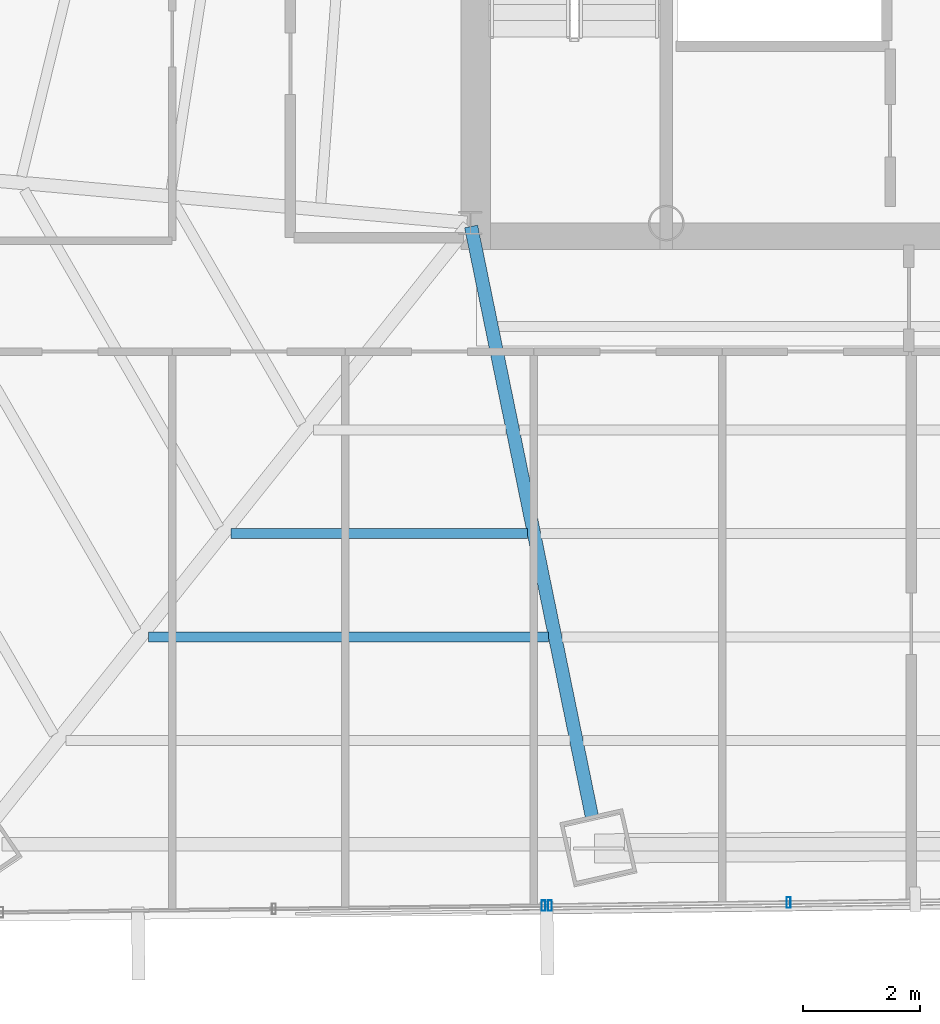
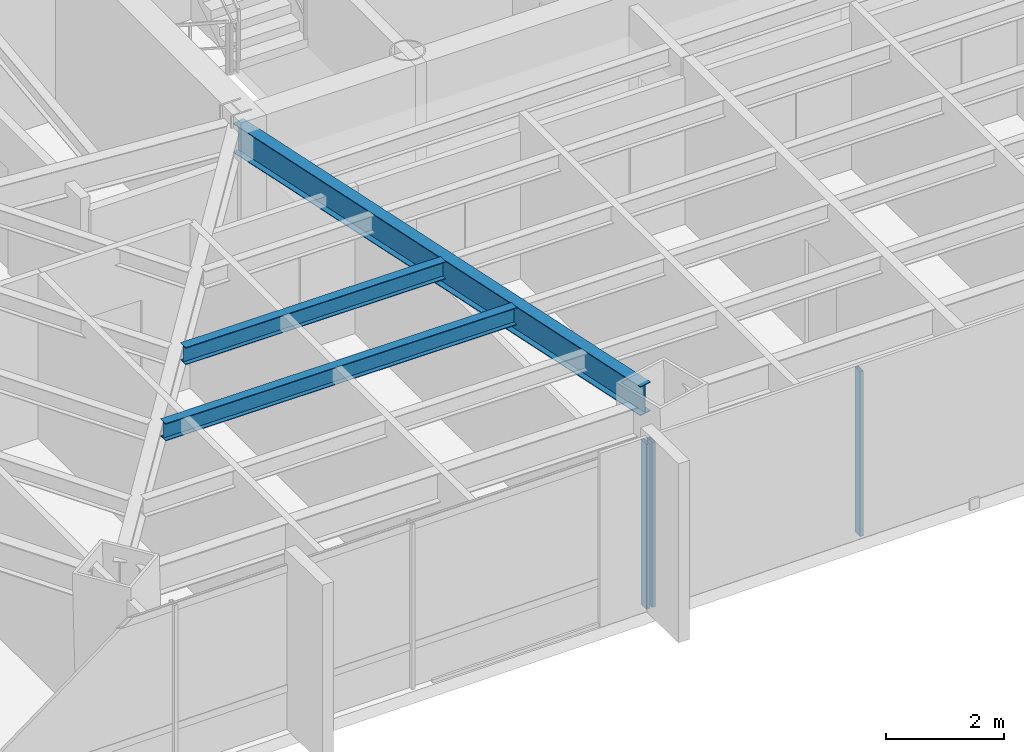
# One storey, part 7 of 35: 3 beams, 3 members, 2 elements without a shape of their own.
"""IFC4 building model written with IfcOpenShell, lengths in metres."""

from ifc_helpers import new_model, si_unit, direction, frame, origin, origin_2d, place, context, subcontext, project, spatial, hollow_rectangle, i_section, extrude, source, transform, mapped, material, material_profile, profile_set, type_object, type_shapes, element, aggregate, save


model = new_model("IFC4")

# Units and contexts
model_context = context("Model", 3, precision=1e-05, world=origin(), true_north=direction((0.0, 1.0)))
body_context = subcontext(model_context, "Body", "Model", "MODEL_VIEW")
ifc_project = project(units=[si_unit("LENGTHUNIT", "METRE"), si_unit("AREAUNIT", "SQUARE_METRE"), si_unit("VOLUMEUNIT", "CUBIC_METRE"), si_unit("PLANEANGLEUNIT", "RADIAN"), si_unit("MASSUNIT", "GRAM", prefix="KILO")], contexts=[model_context])

# Site, building, storey
site_placement = place(None, origin())
site = spatial("IfcSite", under=ifc_project, at=site_placement, CompositionType="ELEMENT")
building_placement = place(site_placement, origin())
building = spatial("IfcBuilding", under=site, at=building_placement, Name="Caelisora Broadcast Tower", CompositionType="ELEMENT")
storey_placement = place(building_placement, frame((0.0, 0.0, 123.64990234375)))
storey = spatial("IfcBuildingStorey", under=building, at=storey_placement, Name="L32", CompositionType="ELEMENT", Elevation=123.64990234375)

# Beams
ifc_material_1 = material(Name="Steel Grade 350 (AS/NZS 3679.1)", Category="steel")
ifc_material_profile_1 = material_profile(ifc_material_1, i_section(OverallWidth=0.22802734375, OverallDepth=0.602294921875, WebThickness=0.010498046875, FlangeThickness=0.014892578125, at=origin_2d()), Name="Steel Grade 350 (AS/NZS 3679.1)")
ifc_profile_set_1 = profile_set([ifc_material_profile_1], Name="Steel Grade 350 (AS/NZS 3679.1)")
beam_type_1 = type_object("IfcBeamType", Name="PG04", PredefinedType="BEAM", material=ifc_profile_set_1)
shared_shape_1 = source(origin(), body_context, "Body", "SweptSolid", [
    extrude(i_section(OverallWidth=0.22802734375, OverallDepth=0.602294921875, WebThickness=0.010498046875, FlangeThickness=0.014892578125, at=origin_2d()), origin(), (0.0, 0.0, 1.0), 10.36572265625),
])
type_shapes(beam_type_1, [shared_shape_1])
beam_1_placement = place(storey_placement, frame((30.511962890625, 17.34130859375, 3.098876953125), z_axis=(0.200552941525, -0.979682865853, 0.0), x_axis=(0.979682865853, 0.200552941525, 0.0)))
element("IfcBeam", 1, at=beam_1_placement, inside=storey, type_object=beam_type_1, Name="L32 beam PG04", PredefinedType="BEAM", context=body_context, shape_type="MappedRepresentation", body=[
    mapped(shared_shape_1, transform((0.0, 0.0, 0.0), scale=1.0)),
])
ifc_material_profile_2 = material_profile(ifc_material_1, i_section(OverallWidth=0.172119140625, OverallDepth=0.358642578125, WebThickness=0.008056640625, FlangeThickness=0.012939453125, at=origin_2d()), Name="Steel Grade 350 (AS/NZS 3679.1)")
ifc_profile_set_2 = profile_set([ifc_material_profile_2], Name="Steel Grade 350 (AS/NZS 3679.1)")
beam_type_2 = type_object("IfcBeamType", Name="SB02", PredefinedType="JOIST", material=ifc_profile_set_2)
shared_shape_2 = source(origin(), body_context, "Body", "SweptSolid", [
    extrude(i_section(OverallWidth=0.172119140625, OverallDepth=0.358642578125, WebThickness=0.008056640625, FlangeThickness=0.012939453125, at=origin_2d()), origin(), (0.0, 0.0, 1.0), 5.06884765625),
])
beam_2_placement = place(storey_placement, frame((26.4052734375, 12.08740234375, 3.220703125), z_axis=(1.0, 0.0, 0.0), x_axis=(0.0, 1.0, 0.0)))
element("IfcBeam", 2, at=beam_2_placement, inside=storey, type_object=beam_type_2, Name="L32 beam SB02", PredefinedType="JOIST", context=body_context, shape_type="MappedRepresentation", body=[
    mapped(shared_shape_2, transform((0.0, 0.0, 0.0), scale=1.0)),
])
shared_shape_3 = source(origin(), body_context, "Body", "SweptSolid", [
    extrude(i_section(OverallWidth=0.172119140625, OverallDepth=0.358642578125, WebThickness=0.008056640625, FlangeThickness=0.012939453125, at=origin_2d()), origin(), (0.0, 0.0, 1.0), 6.843994140625),
])
type_shapes(beam_type_2, [shared_shape_2, shared_shape_3])
beam_3_placement = place(storey_placement, frame((24.99267578125, 10.31640625, 3.220703125), z_axis=(1.0, 0.0, 0.0), x_axis=(0.0, 1.0, 0.0)))
element("IfcBeam", 3, at=beam_3_placement, inside=storey, type_object=beam_type_2, Name="L32 beam SB02", PredefinedType="JOIST", context=body_context, shape_type="MappedRepresentation", body=[
    mapped(shared_shape_3, transform((0.0, 0.0, 0.0), scale=1.0)),
])

# Curtain wall, members
ifc_material_2 = material(Name="Unitised Aluminium Insulated Shadow-Box Spandrel Curtain Wall", Category="aluminium")
curtain_wall_type_1 = type_object("IfcCurtainWallType", Name="CW-SP1", PredefinedType="NOTDEFINED", material=ifc_material_2)
curtain_wall_1_placement = place(storey_placement, origin())
curtain_wall_1 = element("IfcCurtainWall", 4, at=curtain_wall_1_placement, inside=storey, type_object=curtain_wall_type_1, Name="L32 curtain wall CW-SP1", PredefinedType="NOTDEFINED")
ifc_material_3 = material(Name="Aluminium 6063-T6 Anodised Terracotta Bronze", Category="aluminium")
ifc_material_profile_3 = material_profile(ifc_material_3, hollow_rectangle(XDim=0.06494140625, YDim=0.179931640625, WallThickness=0.00341796875, at=origin_2d()), Name="Aluminium 6063-T6 Anodised Terracotta Bronze")
ifc_profile_set_3 = profile_set([ifc_material_profile_3], Name="Aluminium 6063-T6 Anodised Terracotta Bronze")
member_type = type_object("IfcMemberType", Name="CWM-02", PredefinedType="MULLION", material=ifc_profile_set_3)
shared_shape_4 = source(origin(), body_context, "Body", "SweptSolid", [
    extrude(hollow_rectangle(XDim=0.06494140625, YDim=0.179931640625, WallThickness=0.00341796875, at=origin_2d()), origin(), (0.0, 0.0, 1.0), 3.400146484375),
])
type_shapes(member_type, [shared_shape_4])
member_1_placement = place(storey_placement, frame((35.943603515625, 5.778076171875, 0.0), z_axis=(0.0, 0.0, 1.0), x_axis=(1.0, 0.0, 0.0)))
member_1 = element("IfcMember", 5, at=member_1_placement, type_object=member_type, Name="L32-CW-B06 mullion #2", PredefinedType="MULLION", context=body_context, shape_type="MappedRepresentation", body=[
    mapped(shared_shape_4, transform((0.0, 0.0, 0.0), scale=1.0)),
])
member_2_placement = place(storey_placement, frame((31.8583984375, 5.72705078125, 0.0), z_axis=(0.0, 0.0, 1.0), x_axis=(1.0, 0.0, 0.0)))
member_2 = element("IfcMember", 6, at=member_2_placement, type_object=member_type, Name="L32-CW-B06 mullion #3", PredefinedType="MULLION", context=body_context, shape_type="MappedRepresentation", body=[
    mapped(shared_shape_4, transform((0.0, 0.0, 0.0), scale=1.0)),
])
aggregate(curtain_wall_1, [member_1, member_2])

# Curtain wall, member
ifc_material_4 = material(Name="Unitised Aluminium and Low-E Glass Curtain Wall", Category="glass")
curtain_wall_type_2 = type_object("IfcCurtainWallType", Name="CW-Z2", PredefinedType="NOTDEFINED", material=ifc_material_4)
curtain_wall_2_placement = place(storey_placement, origin())
curtain_wall_2 = element("IfcCurtainWall", 7, at=curtain_wall_2_placement, inside=storey, type_object=curtain_wall_type_2, Name="L32 curtain wall CW-Z2", PredefinedType="NOTDEFINED")
member_3_placement = place(storey_placement, frame((31.748291015625, 5.7255859375, 0.0), z_axis=(0.0, 0.0, 1.0), x_axis=(1.0, 0.0, 0.0)))
member_3 = element("IfcMember", 8, at=member_3_placement, type_object=member_type, Name="L32-CW-B07 mullion #0", PredefinedType="MULLION", context=body_context, shape_type="MappedRepresentation", body=[
    mapped(shared_shape_4, transform((0.0, 0.0, 0.0), scale=1.0)),
])
aggregate(curtain_wall_2, [member_3])

save(model, "model.ifc")
